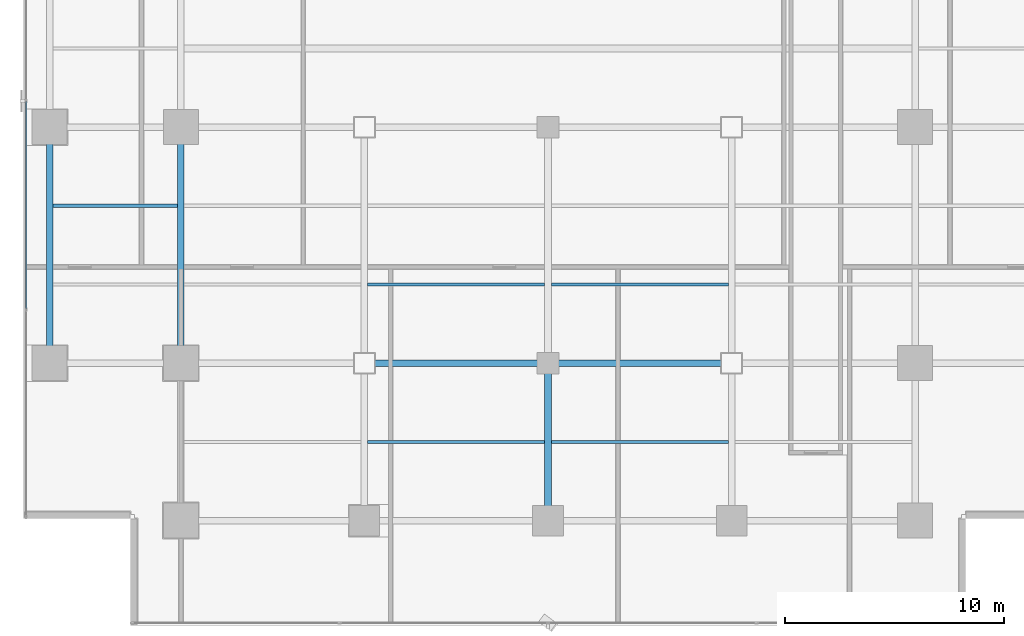
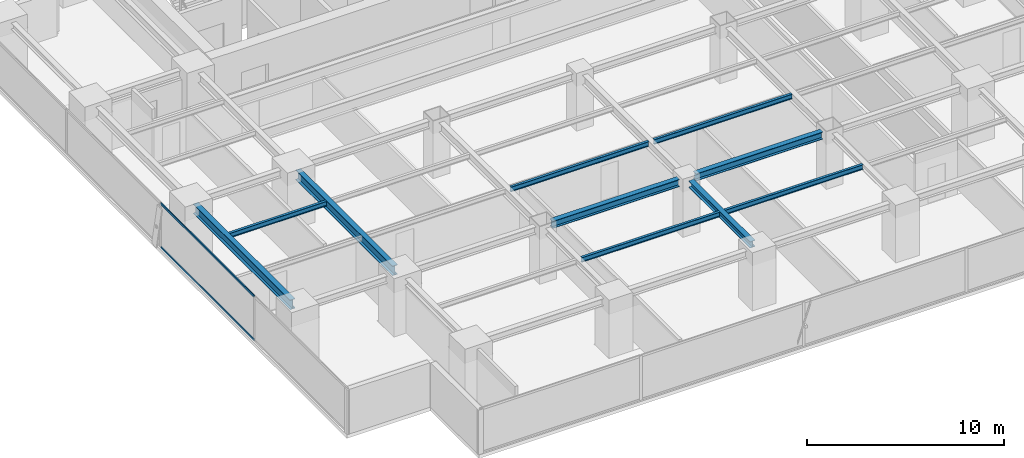
# One storey, part 6 of 28: 10 beams, 2 members, 1 element without a shape of its own.
"""IFC4 building model written with IfcOpenShell, lengths in metres."""

from ifc_helpers import new_model, si_unit, direction, frame, origin, origin_2d, place, context, subcontext, project, spatial, hollow_rectangle, i_section, extrude, source, transform, mapped, material, layer, layer_set, material_profile, profile_set, type_object, element, aggregate, save


model = new_model("IFC4")

# Units and contexts
model_context = context("Model", 3, precision=1e-05, world=origin(), true_north=direction((0.0, 1.0)))
body_context = subcontext(model_context, "Body", "Model", "MODEL_VIEW")
ifc_project = project(units=[si_unit("LENGTHUNIT", "METRE"), si_unit("AREAUNIT", "SQUARE_METRE"), si_unit("VOLUMEUNIT", "CUBIC_METRE"), si_unit("PLANEANGLEUNIT", "RADIAN"), si_unit("MASSUNIT", "GRAM", prefix="KILO")], contexts=[model_context])

# Site, building, storey
site_placement = place(None, origin())
site = spatial("IfcSite", under=ifc_project, at=site_placement, CompositionType="ELEMENT")
building_placement = place(site_placement, origin())
building = spatial("IfcBuilding", under=site, at=building_placement, Name="Sumidabori Civic Tower", CompositionType="ELEMENT")
storey_placement = place(building_placement, frame((0.0, 0.0, 171.199951171875)))
storey = spatial("IfcBuildingStorey", under=building, at=storey_placement, Name="L44", CompositionType="ELEMENT", Elevation=171.199951171875)

# Beams
ifc_material_1 = material(Name="Steel SN490", Category="steel")
ifc_material_profile_1 = material_profile(ifc_material_1, i_section(OverallWidth=0.300048828125, OverallDepth=0.39990234375, WebThickness=0.013427734375, FlangeThickness=0.02392578125, at=origin_2d()), Name="HE 400 B")
ifc_profile_set_1 = profile_set([ifc_material_profile_1], Name="Steel SN490")
beam_type_1 = type_object("IfcBeamType", Name="BM-GIRD-400", PredefinedType="BEAM", material=ifc_profile_set_1)
shared_shape_1 = source(origin(), body_context, "Body", "SweptSolid", [
    extrude(i_section(OverallWidth=0.300048828125, OverallDepth=0.39990234375, WebThickness=0.013427734375, FlangeThickness=0.02392578125, at=origin_2d()), origin(), (0.0, 0.0, 1.0), 6.239990234375),
])
beam_1_placement = place(storey_placement, frame((0.0, -17.52001953125, 3.179931640625), z_axis=(0.0, 1.0, 0.0), x_axis=(-1.0, 0.0, 0.0)))
element("IfcBeam", 1, at=beam_1_placement, inside=storey, type_object=beam_type_1, Name="Primary Girder L44 GY-28", PredefinedType="BEAM", context=body_context, shape_type="MappedRepresentation", body=[
    mapped(shared_shape_1, transform((0.0, 0.0, 0.0), x_axis=(1.0, 0.0, 0.0), y_axis=(0.0, 1.0, 0.0), z_axis=(0.0, 0.0, 1.0), scale=1.0)),
])
ifc_material_profile_2 = material_profile(ifc_material_1, i_section(OverallWidth=0.300048828125, OverallDepth=0.60009765625, WebThickness=0.015380859375, FlangeThickness=0.030029296875, at=origin_2d()), Name="HE 600 B")
ifc_profile_set_2 = profile_set([ifc_material_profile_2], Name="Steel SN490")
beam_type_2 = type_object("IfcBeamType", Name="BM-GIRD-600", PredefinedType="BEAM", material=ifc_profile_set_2)
shared_shape_2 = source(origin(), body_context, "Body", "SweptSolid", [
    extrude(i_section(OverallWidth=0.300048828125, OverallDepth=0.60009765625, WebThickness=0.015380859375, FlangeThickness=0.030029296875, at=origin_2d()), origin(), (0.0, 0.0, 1.0), 9.840087890625),
])
for number, where, z_axis, x_axis, name in (
    (2, (-22.800048828125, -10.320068359375, 3.080078125), (0.0, 1.0, 0.0), (-1.0, 0.0, 0.0), "Primary Girder L44 GY-19"),
    (3, (-16.800048828125, -10.320068359375, 3.080078125), (0.0, 1.0, 0.0), (-1.0, 0.0, 0.0), "Primary Girder L44 GY-23"),
):
    element("IfcBeam", number, at=place(storey_placement, frame(where, z_axis=z_axis, x_axis=x_axis)), inside=storey, type_object=beam_type_2, Name=name, PredefinedType="BEAM", context=body_context, shape_type="MappedRepresentation", body=[
        mapped(shared_shape_2, transform((0.0, 0.0, 0.0), x_axis=(1.0, 0.0, 0.0), y_axis=(0.0, 1.0, 0.0), z_axis=(0.0, 0.0, 1.0), scale=1.0)),
    ])
ifc_material_profile_3 = material_profile(ifc_material_1, i_section(OverallWidth=0.14990234375, OverallDepth=0.300048828125, WebThickness=0.007080078125, FlangeThickness=0.0107421875, at=origin_2d()), Name="IPE 300")
ifc_profile_set_3 = profile_set([ifc_material_profile_3], Name="Steel SN490")
beam_type_3 = type_object("IfcBeamType", Name="BM-JST-300", PredefinedType="JOIST", material=ifc_profile_set_3)
shared_shape_3 = source(origin(), body_context, "Body", "SweptSolid", [
    extrude(i_section(OverallWidth=0.14990234375, OverallDepth=0.300048828125, WebThickness=0.007080078125, FlangeThickness=0.0107421875, at=origin_2d()), origin(), (0.0, 0.0, 1.0), 5.699951171875),
])
beam_2_placement = place(storey_placement, frame((-22.64990234375, -3.60009765625, 3.22998046875), z_axis=(1.0, 0.0, 0.0), x_axis=(0.0, 1.0, 0.0)))
element("IfcBeam", 4, at=beam_2_placement, inside=storey, type_object=beam_type_3, Name="Outer Bay Floor Joist L44 JSTO-41", PredefinedType="JOIST", context=body_context, shape_type="MappedRepresentation", body=[
    mapped(shared_shape_3, transform((0.0, 0.0, 0.0), x_axis=(1.0, 0.0, 0.0), y_axis=(0.0, 1.0, 0.0), z_axis=(0.0, 0.0, 1.0), scale=1.0)),
])
shared_shape_4 = source(origin(), body_context, "Body", "SweptSolid", [
    extrude(i_section(OverallWidth=0.14990234375, OverallDepth=0.300048828125, WebThickness=0.007080078125, FlangeThickness=0.0107421875, at=origin_2d()), origin(), (0.0, 0.0, 1.0), 8.10009765625),
])
for number, where, z_axis, x_axis, name in (
    (5, (-8.25, -14.39990234375, 3.22998046875), (1.0, 0.0, 0.0), (0.0, 1.0, 0.0), "South Bay Floor Joist L44 JSTS-50"),
    (6, (0.14990234375, -14.39990234375, 3.22998046875), (1.0, 0.0, 0.0), (0.0, 1.0, 0.0), "South Bay Floor Joist L44 JSTS-51"),
    (7, (-8.25, -7.199951171875, 3.22998046875), (1.0, 0.0, 0.0), (0.0, 1.0, 0.0), "South Bay Floor Joist L44 JSTS-54"),
    (8, (0.14990234375, -7.199951171875, 3.22998046875), (1.0, 0.0, 0.0), (0.0, 1.0, 0.0), "South Bay Floor Joist L44 JSTS-55"),
):
    element("IfcBeam", number, at=place(storey_placement, frame(where, z_axis=z_axis, x_axis=x_axis)), inside=storey, type_object=beam_type_3, Name=name, PredefinedType="JOIST", context=body_context, shape_type="MappedRepresentation", body=[
        mapped(shared_shape_4, transform((0.0, 0.0, 0.0), x_axis=(1.0, 0.0, 0.0), y_axis=(0.0, 1.0, 0.0), z_axis=(0.0, 0.0, 1.0), scale=1.0)),
    ])
ifc_material_profile_4 = material_profile(ifc_material_1, i_section(OverallWidth=0.300048828125, OverallDepth=0.449951171875, WebThickness=0.013916015625, FlangeThickness=0.02587890625, at=origin_2d()), Name="HE 450 B")
ifc_profile_set_4 = profile_set([ifc_material_profile_4], Name="Steel SN490")
beam_type_4 = type_object("IfcBeamType", Name="BM-GIRD-450", PredefinedType="BEAM", material=ifc_profile_set_4)
shared_shape_5 = source(origin(), body_context, "Body", "SweptSolid", [
    extrude(i_section(OverallWidth=0.300048828125, OverallDepth=0.449951171875, WebThickness=0.013916015625, FlangeThickness=0.02587890625, at=origin_2d()), origin(), (0.0, 0.0, 1.0), 7.43994140625),
])
for number, where, z_axis, x_axis, name in (
    (9, (-7.919921875, -10.800048828125, 3.155029296875), (1.0, 0.0, 0.0), (0.0, 1.0, 0.0), "Primary Girder L44 GX-07"),
    (10, (0.47998046875, -10.800048828125, 3.155029296875), (1.0, 0.0, 0.0), (0.0, 1.0, 0.0), "Primary Girder L44 GX-08"),
):
    element("IfcBeam", number, at=place(storey_placement, frame(where, z_axis=z_axis, x_axis=x_axis)), inside=storey, type_object=beam_type_4, Name=name, PredefinedType="BEAM", context=body_context, shape_type="MappedRepresentation", body=[
        mapped(shared_shape_5, transform((0.0, 0.0, 0.0), x_axis=(1.0, 0.0, 0.0), y_axis=(0.0, 1.0, 0.0), z_axis=(0.0, 0.0, 1.0), scale=1.0)),
    ])

# Curtain wall, members
ifc_material_2 = material(Name="Anodised Bronze Aluminium AW-6063-T6", Category="aluminium")
ifc_layer = layer(ifc_material_2, 0.179931640625, Name="Anodised Bronze Aluminium AW-6063-T6")
ifc_layer_set = layer_set([ifc_layer], Name="Anodised Bronze Aluminium AW-6063-T6")
curtain_wall_type = type_object("IfcCurtainWallType", Name="CW-SYS-3", PredefinedType="NOTDEFINED", material=ifc_layer_set)
curtain_wall_placement = place(storey_placement, origin())
curtain_wall = element("IfcCurtainWall", 11, at=curtain_wall_placement, inside=storey, type_object=curtain_wall_type, Name="Curtain Wall CW:L44:R10", PredefinedType="NOTDEFINED")
ifc_material_profile_5 = material_profile(ifc_material_2, hollow_rectangle(XDim=0.06005859375, YDim=0.1298828125, WallThickness=0.0048828125, at=origin_2d()), Name="ALU TRANSOM 130x60")
ifc_profile_set_5 = profile_set([ifc_material_profile_5], Name="Anodised Bronze Aluminium AW-6063-T6")
member_type = type_object("IfcMemberType", Name="CW-TRN-130", PredefinedType="USERDEFINED", material=ifc_profile_set_5)
shared_shape_6 = source(origin(), body_context, "Body", "SweptSolid", [
    extrude(hollow_rectangle(XDim=0.06005859375, YDim=0.1298828125, WallThickness=0.0048828125, at=origin_2d()), origin(), (0.0, 0.0, 1.0), 9.469970703125),
])
member_1_placement = place(storey_placement, frame((-23.8798828125, 1.16748046875, 0.030029296875), z_axis=(0.0, -1.0, 0.0), x_axis=(1.0, 0.0, 0.0)))
member_1 = element("IfcMember", 12, at=member_1_placement, type_object=member_type, Name="CW-3 transom 3.1", ObjectType="TRANSOM", PredefinedType="USERDEFINED", context=body_context, shape_type="MappedRepresentation", body=[
    mapped(shared_shape_6, transform((0.0, 0.0, 0.0), x_axis=(1.0, 0.0, 0.0), y_axis=(0.0, 1.0, 0.0), z_axis=(0.0, 0.0, 1.0), scale=1.0)),
])
member_2_placement = place(storey_placement, frame((-23.8798828125, 1.16748046875, 2.72998046875), z_axis=(0.0, -1.0, 0.0), x_axis=(1.0, 0.0, 0.0)))
member_2 = element("IfcMember", 13, at=member_2_placement, type_object=member_type, Name="CW-3 transom 3.2", ObjectType="TRANSOM", PredefinedType="USERDEFINED", context=body_context, shape_type="MappedRepresentation", body=[
    mapped(shared_shape_6, transform((0.0, 0.0, 0.0), x_axis=(1.0, 0.0, 0.0), y_axis=(0.0, 1.0, 0.0), z_axis=(0.0, 0.0, 1.0), scale=1.0)),
])
aggregate(curtain_wall, [member_1, member_2])

save(model, "model.ifc")
